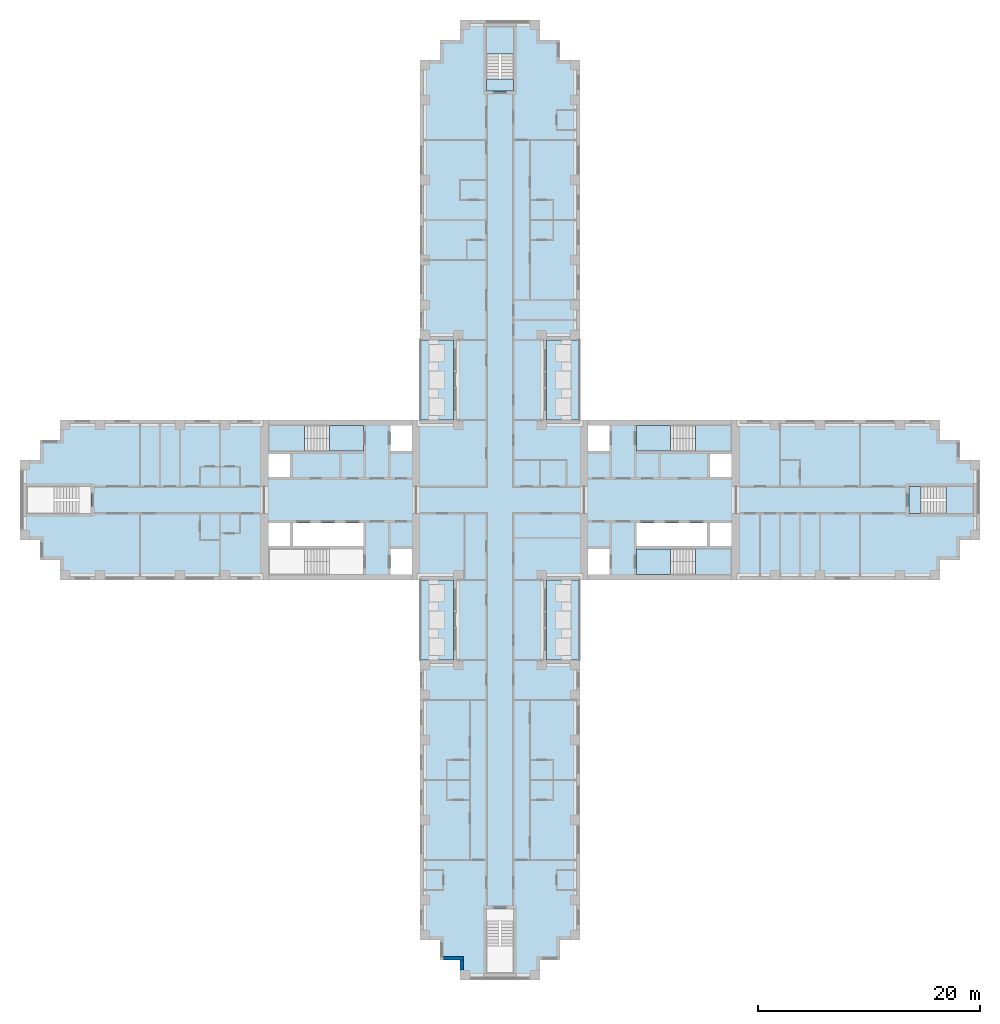
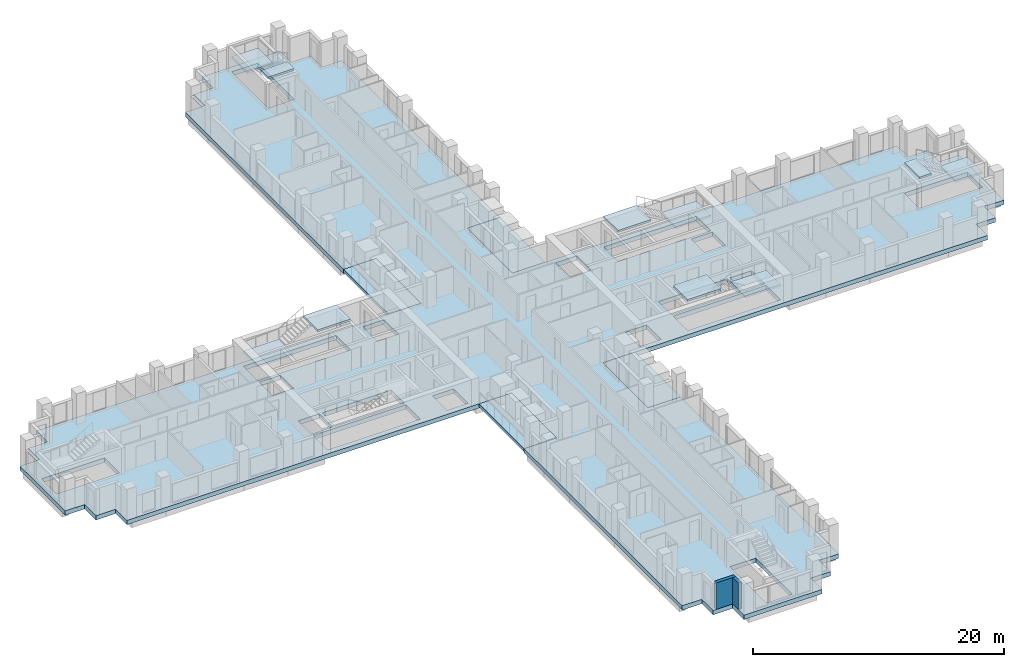
# One storey, part 2 of 15: 15 slabs, 2 walls, 5 elements without a shape of their own.
"""IFC4 building model written with IfcOpenShell, lengths in metres."""

from ifc_helpers import new_model, si_unit, direction, frame, frame_2d, origin, place, context, subcontext, project, spatial, polyline, rectangle, outline, extrude, material, layer, layer_set, type_object, element, aggregate, save


model = new_model("IFC4")

# Units and contexts
model_context = context("Model", 3, precision=1e-05, world=origin(), true_north=direction((0.0, 1.0)))
body_context = subcontext(model_context, "Body", "Model", "MODEL_VIEW")
ifc_project = project(units=[si_unit("LENGTHUNIT", "METRE"), si_unit("AREAUNIT", "SQUARE_METRE"), si_unit("VOLUMEUNIT", "CUBIC_METRE"), si_unit("PLANEANGLEUNIT", "RADIAN"), si_unit("MASSUNIT", "GRAM", prefix="KILO")], contexts=[model_context])

# Site, building, storey
site_placement = place(None, origin())
site = spatial("IfcSite", under=ifc_project, at=site_placement, CompositionType="ELEMENT")
building_placement = place(site_placement, origin())
building = spatial("IfcBuilding", under=site, at=building_placement, Name="Fustian Cross Tower", CompositionType="ELEMENT")
storey_placement = place(building_placement, frame((0.0, 0.0, 50.699951171875)))
storey = spatial("IfcBuildingStorey", under=building, at=storey_placement, Name="L15", CompositionType="ELEMENT", Elevation=50.699951171875)

# Slabs
ifc_material_1 = material(Name="Concrete C40/50", Category="concrete")
ifc_layer_1 = layer(ifc_material_1, 0.300048828125)
ifc_layer_set_1 = layer_set([ifc_layer_1], Name="Concrete C40/50")
slab_type_1 = type_object("IfcSlabType", Name="BS1 BALCONY SLAB 300", PredefinedType="FLOOR", material=ifc_layer_set_1)
slab_1_placement = place(storey_placement, frame((0.0, 0.0, -0.300048828125)))
element("IfcSlab", 1, at=slab_1_placement, inside=storey, type_object=slab_type_1, Name="Balcony slab", PredefinedType="FLOOR", context=body_context, shape_type="SweptSolid", body=[
    extrude(outline(polyline([(4.199951171875, 7.199951171875), (7.199951171875, 7.199951171875), (7.199951171875, 14.39990234375), (4.199951171875, 14.39990234375), (4.199951171875, 7.199951171875)])), origin(), (0.0, 0.0, 1.0), 0.300048828125),
])
slab_2_placement = place(storey_placement, frame((0.0, 0.0, -0.300048828125)))
element("IfcSlab", 2, at=slab_2_placement, inside=storey, type_object=slab_type_1, Name="Balcony slab", PredefinedType="FLOOR", context=body_context, shape_type="SweptSolid", body=[
    extrude(outline(polyline([(-7.199951171875, 7.199951171875), (-4.199951171875, 7.199951171875), (-4.199951171875, 14.39990234375), (-7.199951171875, 14.39990234375), (-7.199951171875, 7.199951171875)])), origin(), (0.0, 0.0, 1.0), 0.300048828125),
])
slab_3_placement = place(storey_placement, frame((0.0, 0.0, -0.300048828125)))
element("IfcSlab", 3, at=slab_3_placement, inside=storey, type_object=slab_type_1, Name="Balcony slab", PredefinedType="FLOOR", context=body_context, shape_type="SweptSolid", body=[
    extrude(outline(polyline([(4.199951171875, -14.39990234375), (7.199951171875, -14.39990234375), (7.199951171875, -7.199951171875), (4.199951171875, -7.199951171875), (4.199951171875, -14.39990234375)])), origin(), (0.0, 0.0, 1.0), 0.300048828125),
])
slab_4_placement = place(storey_placement, frame((0.0, 0.0, -0.300048828125)))
element("IfcSlab", 4, at=slab_4_placement, inside=storey, type_object=slab_type_1, Name="Balcony slab", PredefinedType="FLOOR", context=body_context, shape_type="SweptSolid", body=[
    extrude(outline(polyline([(-7.199951171875, -14.39990234375), (-4.199951171875, -14.39990234375), (-4.199951171875, -7.199951171875), (-7.199951171875, -7.199951171875), (-7.199951171875, -14.39990234375)])), origin(), (0.0, 0.0, 1.0), 0.300048828125),
])
ifc_material_2 = material(Name="Concrete C40/50", Category="concrete")
ifc_layer_2 = layer(ifc_material_2, 0.425048828125)
ifc_layer_set_2 = layer_set([ifc_layer_2], Name="Concrete C40/50")
slab_type_2 = type_object("IfcSlabType", Name="FLAT SLAB 425", PredefinedType="FLOOR", material=ifc_layer_set_2)
slab_5_placement = place(storey_placement, frame((0.0, 0.0, -0.425048828125)))
element("IfcSlab", 5, at=slab_5_placement, inside=storey, type_object=slab_type_2, Name="FLOOR SLAB L15-1", PredefinedType="FLOOR", context=body_context, shape_type="SweptSolid", body=[
    extrude(outline(polyline([(-4.199951171875, -7.199951171875), (-39.60009765625, -7.199951171875), (-39.60009765625, -5.39990234375), (-41.39990234375, -5.39990234375), (-41.39990234375, -3.60009765625), (-43.199951171875, -3.60009765625), (-43.199951171875, 3.60009765625), (-41.39990234375, 3.60009765625), (-41.39990234375, 5.39990234375), (-39.60009765625, 5.39990234375), (-39.60009765625, 7.199951171875), (-4.199951171875, 7.199951171875), (-4.199951171875, 14.39990234375), (-7.199951171875, 14.39990234375), (-7.199951171875, 39.60009765625), (-5.39990234375, 39.60009765625), (-5.39990234375, 41.39990234375), (-3.60009765625, 41.39990234375), (-3.60009765625, 43.199951171875), (3.60009765625, 43.199951171875), (3.60009765625, 41.39990234375), (5.39990234375, 41.39990234375), (5.39990234375, 39.60009765625), (7.199951171875, 39.60009765625), (7.199951171875, 14.39990234375), (4.199951171875, 14.39990234375), (4.199951171875, 7.199951171875), (39.60009765625, 7.199951171875), (39.60009765625, 5.39990234375), (41.39990234375, 5.39990234375), (41.39990234375, 3.60009765625), (43.199951171875, 3.60009765625), (43.199951171875, -3.60009765625), (41.39990234375, -3.60009765625), (41.39990234375, -5.39990234375), (39.60009765625, -5.39990234375), (39.60009765625, -7.199951171875), (4.199951171875, -7.199951171875), (4.199951171875, -14.39990234375), (7.199951171875, -14.39990234375), (7.199951171875, -39.60009765625), (5.39990234375, -39.60009765625), (5.39990234375, -41.39990234375), (3.60009765625, -41.39990234375), (3.60009765625, -43.199951171875), (-3.60009765625, -43.199951171875), (-3.60009765625, -41.39990234375), (-5.39990234375, -41.39990234375), (-5.39990234375, -39.60009765625), (-7.199951171875, -39.60009765625), (-7.199951171875, -14.39990234375), (-4.199951171875, -14.39990234375), (-4.199951171875, -7.199951171875)]), holes=[polyline([(18.89990234375, -2.050048828125), (18.89990234375, -4.14990234375), (20.85009765625, -4.14990234375), (20.85009765625, -2.050048828125), (18.89990234375, -2.050048828125)]), polyline([(20.85009765625, 4.14990234375), (18.89990234375, 4.14990234375), (18.89990234375, 2.050048828125), (20.85009765625, 2.050048828125), (20.85009765625, 4.14990234375)]), polyline([(9.85009765625, 4.39990234375), (9.85009765625, 6.699951171875), (7.89990234375, 6.699951171875), (7.89990234375, 4.39990234375), (9.85009765625, 4.39990234375)]), polyline([(7.89990234375, -6.699951171875), (9.85009765625, -6.699951171875), (9.85009765625, -4.39990234375), (7.89990234375, -4.39990234375), (7.89990234375, -6.699951171875)]), polyline([(-20.85009765625, -2.050048828125), (-20.85009765625, -4.14990234375), (-18.89990234375, -4.14990234375), (-18.89990234375, -2.050048828125), (-20.85009765625, -2.050048828125)]), polyline([(-18.89990234375, 4.14990234375), (-20.85009765625, 4.14990234375), (-20.85009765625, 2.050048828125), (-18.89990234375, 2.050048828125), (-18.89990234375, 4.14990234375)]), polyline([(-7.89990234375, 4.39990234375), (-7.89990234375, 6.699951171875), (-9.85009765625, 6.699951171875), (-9.85009765625, 4.39990234375), (-7.89990234375, 4.39990234375)]), polyline([(-9.85009765625, -6.699951171875), (-7.89990234375, -6.699951171875), (-7.89990234375, -4.39990234375), (-9.85009765625, -4.39990234375), (-9.85009765625, -6.699951171875)]), polyline([(12.300048828125, -2.050048828125), (12.300048828125, -4.14990234375), (18.64990234375, -4.14990234375), (18.64990234375, -2.050048828125), (12.300048828125, -2.050048828125)]), polyline([(-12.300048828125, -2.050048828125), (-18.64990234375, -2.050048828125), (-18.64990234375, -4.14990234375), (-12.300048828125, -4.14990234375), (-12.300048828125, -2.050048828125)]), polyline([(20.85009765625, 4.39990234375), (20.85009765625, 6.699951171875), (12.300048828125, 6.699951171875), (12.300048828125, 4.39990234375), (20.85009765625, 4.39990234375)]), polyline([(12.300048828125, -6.699951171875), (20.85009765625, -6.699951171875), (20.85009765625, -4.39990234375), (12.300048828125, -4.39990234375), (12.300048828125, -6.699951171875)]), polyline([(-20.85009765625, 6.699951171875), (-20.85009765625, 4.39990234375), (-12.300048828125, 4.39990234375), (-12.300048828125, 6.699951171875), (-20.85009765625, 6.699951171875)]), polyline([(-12.300048828125, -4.39990234375), (-20.85009765625, -4.39990234375), (-20.85009765625, -6.699951171875), (-12.300048828125, -6.699951171875), (-12.300048828125, -4.39990234375)]), polyline([(1.199951171875, 36.800048828125), (1.199951171875, 42.60009765625), (-1.199951171875, 42.60009765625), (-1.199951171875, 36.800048828125), (1.199951171875, 36.800048828125)]), polyline([(-1.199951171875, -42.60009765625), (1.199951171875, -42.60009765625), (1.199951171875, -36.800048828125), (-1.199951171875, -36.800048828125), (-1.199951171875, -42.60009765625)]), polyline([(36.800048828125, 1.199951171875), (36.800048828125, -1.199951171875), (42.60009765625, -1.199951171875), (42.60009765625, 1.199951171875), (36.800048828125, 1.199951171875)]), polyline([(-36.800048828125, 1.199951171875), (-42.60009765625, 1.199951171875), (-42.60009765625, -1.199951171875), (-36.800048828125, -1.199951171875), (-36.800048828125, 1.199951171875)])]), origin(), (0.0, 0.0, 1.0), 0.425048828125),
])

# Stair, slabs
ifc_material_3 = material(Name="Concrete C50/60", Category="concrete")
stair_type_1 = type_object("IfcStairType", Name="STAIR 1150 HALF TURN", PredefinedType="HALF_TURN_STAIR", material=ifc_material_3)
stair_1_placement = place(storey_placement, origin())
stair_1 = element("IfcStair", 6, at=stair_1_placement, inside=storey, type_object=stair_type_1, Name="Stair ST1", PredefinedType="HALF_TURN_STAIR")
ifc_material_4 = material(Name="Concrete C50/60", Category="concrete")
ifc_layer_3 = layer(ifc_material_4, 0.199951171875)
ifc_layer_set_3 = layer_set([ifc_layer_3], Name="Concrete C50/60")
slab_type_3 = type_object("IfcSlabType", Name="STAIR LANDING", PredefinedType="LANDING", material=ifc_layer_set_3)
slab_6_placement = place(storey_placement, frame((0.0, 0.0, 1.300048828125)))
slab_6 = element("IfcSlab", 7, at=slab_6_placement, type_object=slab_type_3, Name="ST1 landing 1", PredefinedType="LANDING", context=body_context, shape_type="SweptSolid", body=[
    extrude(outline(polyline([(17.590087890625, 4.39990234375), (20.85009765625, 4.39990234375), (20.85009765625, 6.699951171875), (17.590087890625, 6.699951171875), (17.590087890625, 4.39990234375)])), origin(), (0.0, 0.0, 1.0), 0.199951171875),
])
slab_7_placement = place(storey_placement, frame((0.0, 0.0, 2.800048828125)))
slab_7 = element("IfcSlab", 8, at=slab_7_placement, type_object=slab_type_3, Name="ST1 landing 2", PredefinedType="LANDING", context=body_context, shape_type="SweptSolid", body=[
    extrude(outline(polyline([(12.300048828125, 4.39990234375), (15.35009765625, 4.39990234375), (15.35009765625, 6.699951171875), (12.300048828125, 6.699951171875), (12.300048828125, 4.39990234375)])), origin(), (0.0, 0.0, 1.0), 0.199951171875),
])
aggregate(stair_1, [slab_6, slab_7])

stair_2_placement = place(storey_placement, origin())
stair_2 = element("IfcStair", 9, at=stair_2_placement, inside=storey, type_object=stair_type_1, Name="Stair ST2", PredefinedType="HALF_TURN_STAIR")
slab_8_placement = place(storey_placement, frame((0.0, 0.0, 1.300048828125)))
slab_8 = element("IfcSlab", 10, at=slab_8_placement, type_object=slab_type_3, Name="ST2 landing 1", PredefinedType="LANDING", context=body_context, shape_type="SweptSolid", body=[
    extrude(outline(polyline([(17.590087890625, -4.39990234375), (20.85009765625, -4.39990234375), (20.85009765625, -6.699951171875), (17.590087890625, -6.699951171875), (17.590087890625, -4.39990234375)])), origin(), (0.0, 0.0, 1.0), 0.199951171875),
])
slab_9_placement = place(storey_placement, frame((0.0, 0.0, 2.800048828125)))
slab_9 = element("IfcSlab", 11, at=slab_9_placement, type_object=slab_type_3, Name="ST2 landing 2", PredefinedType="LANDING", context=body_context, shape_type="SweptSolid", body=[
    extrude(outline(polyline([(12.300048828125, -4.39990234375), (15.35009765625, -4.39990234375), (15.35009765625, -6.699951171875), (12.300048828125, -6.699951171875), (12.300048828125, -4.39990234375)])), origin(), (0.0, 0.0, 1.0), 0.199951171875),
])
aggregate(stair_2, [slab_8, slab_9])

stair_3_placement = place(storey_placement, origin())
stair_3 = element("IfcStair", 12, at=stair_3_placement, inside=storey, type_object=stair_type_1, Name="Stair ST3", PredefinedType="HALF_TURN_STAIR")
slab_10_placement = place(storey_placement, frame((0.0, 0.0, 1.300048828125)))
slab_10 = element("IfcSlab", 13, at=slab_10_placement, type_object=slab_type_3, Name="ST3 landing 1", PredefinedType="LANDING", context=body_context, shape_type="SweptSolid", body=[
    extrude(outline(polyline([(-17.590087890625, 4.39990234375), (-20.85009765625, 4.39990234375), (-20.85009765625, 6.699951171875), (-17.590087890625, 6.699951171875), (-17.590087890625, 4.39990234375)])), origin(), (0.0, 0.0, 1.0), 0.199951171875),
])
slab_11_placement = place(storey_placement, frame((0.0, 0.0, 2.800048828125)))
slab_11 = element("IfcSlab", 14, at=slab_11_placement, type_object=slab_type_3, Name="ST3 landing 2", PredefinedType="LANDING", context=body_context, shape_type="SweptSolid", body=[
    extrude(outline(polyline([(-12.300048828125, 4.39990234375), (-15.35009765625, 4.39990234375), (-15.35009765625, 6.699951171875), (-12.300048828125, 6.699951171875), (-12.300048828125, 4.39990234375)])), origin(), (0.0, 0.0, 1.0), 0.199951171875),
])
aggregate(stair_3, [slab_10, slab_11])

ifc_material_5 = material(Name="Concrete C50/60", Category="concrete")
stair_type_2 = type_object("IfcStairType", Name="STAIR 1100 HALF TURN", PredefinedType="HALF_TURN_STAIR", material=ifc_material_5)
stair_4_placement = place(storey_placement, origin())
stair_4 = element("IfcStair", 15, at=stair_4_placement, inside=storey, type_object=stair_type_2, Name="Stair ST5", PredefinedType="HALF_TURN_STAIR")
slab_12_placement = place(storey_placement, frame((0.0, 0.0, 1.300048828125)))
slab_12 = element("IfcSlab", 16, at=slab_12_placement, type_object=slab_type_3, Name="ST5 landing 1", PredefinedType="LANDING", context=body_context, shape_type="SweptSolid", body=[
    extrude(outline(polyline([(-1.199951171875, 40.139892578125), (-1.199951171875, 42.60009765625), (1.199951171875, 42.60009765625), (1.199951171875, 40.139892578125), (-1.199951171875, 40.139892578125)])), origin(), (0.0, 0.0, 1.0), 0.199951171875),
])
slab_13_placement = place(storey_placement, frame((0.0, 0.0, 2.800048828125)))
slab_13 = element("IfcSlab", 17, at=slab_13_placement, type_object=slab_type_3, Name="ST5 landing 2", PredefinedType="LANDING", context=body_context, shape_type="SweptSolid", body=[
    extrude(outline(polyline([(-1.199951171875, 36.800048828125), (-1.199951171875, 37.89990234375), (1.199951171875, 37.89990234375), (1.199951171875, 36.800048828125), (-1.199951171875, 36.800048828125)])), origin(), (0.0, 0.0, 1.0), 0.199951171875),
])
aggregate(stair_4, [slab_12, slab_13])

stair_5_placement = place(storey_placement, origin())
stair_5 = element("IfcStair", 18, at=stair_5_placement, inside=storey, type_object=stair_type_2, Name="Stair ST8", PredefinedType="HALF_TURN_STAIR")
slab_14_placement = place(storey_placement, frame((0.0, 0.0, 1.300048828125)))
slab_14 = element("IfcSlab", 19, at=slab_14_placement, type_object=slab_type_3, Name="ST8 landing 1", PredefinedType="LANDING", context=body_context, shape_type="SweptSolid", body=[
    extrude(outline(polyline([(40.139892578125, -1.199951171875), (42.60009765625, -1.199951171875), (42.60009765625, 1.199951171875), (40.139892578125, 1.199951171875), (40.139892578125, -1.199951171875)])), origin(), (0.0, 0.0, 1.0), 0.199951171875),
])
slab_15_placement = place(storey_placement, frame((0.0, 0.0, 2.800048828125)))
slab_15 = element("IfcSlab", 20, at=slab_15_placement, type_object=slab_type_3, Name="ST8 landing 2", PredefinedType="LANDING", context=body_context, shape_type="SweptSolid", body=[
    extrude(outline(polyline([(36.800048828125, -1.199951171875), (37.89990234375, -1.199951171875), (37.89990234375, 1.199951171875), (36.800048828125, 1.199951171875), (36.800048828125, -1.199951171875)])), origin(), (0.0, 0.0, 1.0), 0.199951171875),
])
aggregate(stair_5, [slab_14, slab_15])

# Walls
ifc_material_6 = material(Name="Dark aluminium cladding on insulated backing wall", Category="aluminium")
ifc_layer_4 = layer(ifc_material_6, 0.300048828125)
ifc_layer_set_4 = layer_set([ifc_layer_4], Name="Dark aluminium cladding on insulated backing wall")
wall_type = type_object("IfcWallType", Name="XW1 EXTERNAL WALL 300", PredefinedType="SOLIDWALL", material=ifc_layer_set_4)
wall_1_placement = place(storey_placement, frame((-5.10009765625, -41.25, 0.0), z_axis=(0.0, 0.0, 1.0), x_axis=(1.0, 0.0, 0.0)))
element("IfcWall", 21, at=wall_1_placement, inside=storey, type_object=wall_type, Name="External wall", PredefinedType="SOLIDWALL", context=body_context, shape_type="SweptSolid", body=[
    extrude(rectangle(XDim=1.800048828125, YDim=0.300048828125, at=frame_2d((0.89990234375, 0.0))), origin(), (0.0, 0.0, 1.0), 2.574951171875),
])
wall_2_placement = place(storey_placement, frame((-3.449951171875, -41.39990234375, 0.0), z_axis=(0.0, 0.0, 1.0), x_axis=(0.0, -1.0, 0.0)))
element("IfcWall", 22, at=wall_2_placement, inside=storey, type_object=wall_type, Name="External wall", PredefinedType="SOLIDWALL", context=body_context, shape_type="SweptSolid", body=[
    extrude(rectangle(XDim=0.900146484375, YDim=0.300048828125, at=frame_2d((0.4501953125, 0.0))), origin(), (0.0, 0.0, 1.0), 2.574951171875),
])

save(model, "model.ifc")
